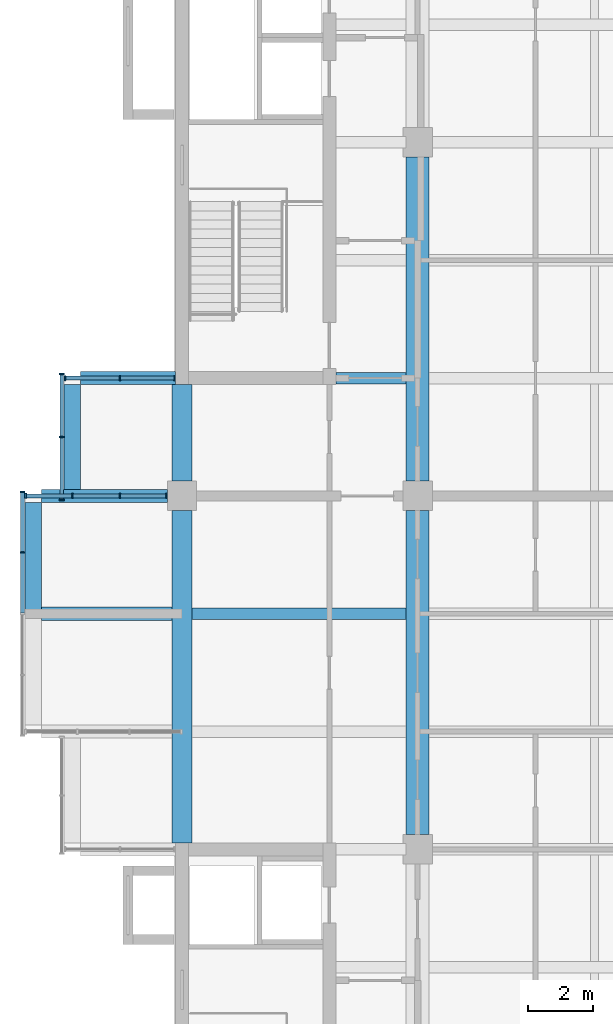
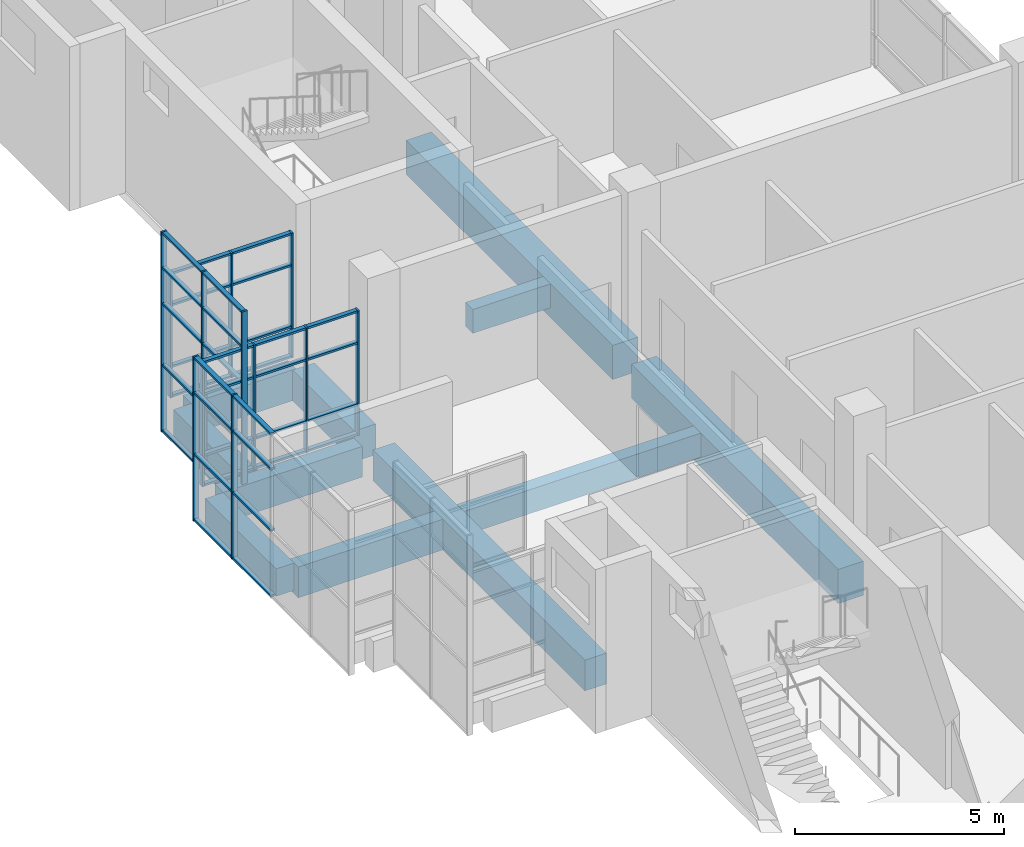
# One storey, part 4 of 23: 50 members, 11 beams, 4 elements without a shape of their own.
"""IFC4 building model written with IfcOpenShell, lengths in metres."""

import ifcopenshell
import ifcopenshell.guid

model = None  # the IFC model being written
_history = None  # IfcOwnerHistory: only IFC2X3 demands one
_inside = {}  # id of a spatial element -> (the spatial element, [elements in it])
_under = {}  # id of a project, library or spatial element -> (it, [spatial elements below it])
_declared = {}  # id of a project -> (the project, [libraries it declares])
_typed = {}  # id of a type object -> (the type object, [elements of that type])
_made_of = {}  # id of a material, layer set ... -> (it, [elements and type objects made of it])


def new_model(schema):
    """Start an empty IFC model of exactly this schema.

    Asked for "IFC4X3", IfcOpenShell would pick the latest addendum, in which some entities
    have other attributes; the version numbers below select the first issue.
    IFC2X3 requires an IfcOwnerHistory on every rooted entity: one is made here for all.
    """
    global model, _history
    if schema == "IFC4X3":
        model = ifcopenshell.file(schema_version=(4, 3, 0, 0))
    else:
        model = ifcopenshell.file(schema=schema)
    _inside.clear()
    _under.clear()
    _declared.clear()
    _typed.clear()
    _made_of.clear()
    _history = None
    if model.schema == "IFC2X3":
        org = make("IfcOrganization", Name="unknown")
        user = make(
            "IfcPersonAndOrganization",
            ThePerson=make("IfcPerson", FamilyName="unknown"),
            TheOrganization=org,
        )
        app = make(
            "IfcApplication",
            ApplicationDeveloper=org,
            Version="unknown",
            ApplicationFullName="unknown",
            ApplicationIdentifier="unknown",
        )
        _history = make(
            "IfcOwnerHistory",
            OwningUser=user,
            OwningApplication=app,
            ChangeAction="ADDED",
            CreationDate=0,
        )
    return model


def make(cls, **values):
    """One entity of the class cls with the attributes given. An attribute that is None is left unset."""
    return model.create_entity(
        cls, **{name: value for name, value in values.items() if value is not None}
    )


def rooted(cls, **values):
    """An entity with a GlobalId (a new one), such as an element, a storey or a relation."""
    return make(cls, GlobalId=ifcopenshell.guid.new(), OwnerHistory=_history, **values)


def si_unit(unit_type, name, prefix=None):
    """IfcSIUnit, for example si_unit("LENGTHUNIT", "METRE", prefix="MILLI")."""
    return make("IfcSIUnit", UnitType=unit_type, Prefix=prefix, Name=name)


def assignment(units):
    """IfcUnitAssignment: the units of a project."""
    return None if units is None else make("IfcUnitAssignment", Units=units)


def point(xyz):
    """IfcCartesianPoint."""
    return None if xyz is None else make("IfcCartesianPoint", Coordinates=xyz)


def direction(xyz):
    """IfcDirection."""
    return None if xyz is None else make("IfcDirection", DirectionRatios=xyz)


def frame(location, z_axis=None, x_axis=None):
    """IfcAxis2Placement3D, a coordinate frame: its origin and axes. An axis left out is left unset."""
    return make(
        "IfcAxis2Placement3D",
        Location=point(location),
        Axis=direction(z_axis),
        RefDirection=direction(x_axis),
    )


def frame_2d(location, x_axis=None):
    """IfcAxis2Placement2D, a coordinate frame in the plane: its origin and x axis."""
    return make(
        "IfcAxis2Placement2D", Location=point(location), RefDirection=direction(x_axis)
    )


def origin():
    """The frame at (0, 0, 0) with its axes left unset."""
    return frame((0.0, 0.0, 0.0))


def origin_2d():
    """The frame at (0, 0) in the plane with its x axis left unset."""
    return frame_2d((0.0, 0.0))


def place(relative_to, where):
    """IfcLocalPlacement: puts the frame where relative to a parent placement (None: the world)."""
    return make(
        "IfcLocalPlacement", PlacementRelTo=relative_to, RelativePlacement=where
    )


def context(
    kind, dimensions, precision=None, world=None, true_north=None, identifier=None
):
    """IfcGeometricRepresentationContext, for example the 3D "Model" context."""
    return make(
        "IfcGeometricRepresentationContext",
        ContextIdentifier=identifier,
        ContextType=kind,
        CoordinateSpaceDimension=dimensions,
        Precision=precision,
        WorldCoordinateSystem=world,
        TrueNorth=true_north,
    )


def subcontext(parent, identifier, kind, view, scale=None):
    """IfcGeometricRepresentationSubContext, for example "Body" below "Model"."""
    return make(
        "IfcGeometricRepresentationSubContext",
        ContextIdentifier=identifier,
        ContextType=kind,
        ParentContext=parent,
        TargetScale=scale,
        TargetView=view,
    )


def project(units=None, contexts=None):
    """IfcProject with its units and contexts."""
    return rooted(
        "IfcProject",
        Name="project",
        RepresentationContexts=contexts,
        UnitsInContext=assignment(units),
    )


def spatial(cls, under=None, at=None, **own):
    """A site, building, storey or space (cls), placed at a placement, below another one or the project."""
    s = rooted(cls, ObjectPlacement=at, **own)
    if under is not None:
        _under.setdefault(under.id(), (under, []))[1].append(s)
    return s


def profile(cls, at=None, kind="AREA", **sizes):
    """A parametric profile (cls). Its sizes go by their IFC names, for example OverallWidth=200.0."""
    return make(cls, ProfileType=kind, Position=at, **sizes)


def rectangle(**sizes):
    """IfcRectangleProfileDef."""
    return profile("IfcRectangleProfileDef", **sizes)


def extrude(swept, where, along, depth):
    """IfcExtrudedAreaSolid: the profile swept, set in the frame where, extruded along a direction by depth."""
    return make(
        "IfcExtrudedAreaSolid",
        SweptArea=swept,
        Position=where,
        ExtrudedDirection=direction(along),
        Depth=depth,
    )


def shape(context_of_items, identifier, shape_type, items):
    """IfcShapeRepresentation: the items that make up one representation, for example the "Body"."""
    return make(
        "IfcShapeRepresentation",
        ContextOfItems=context_of_items,
        RepresentationIdentifier=identifier,
        RepresentationType=shape_type,
        Items=items,
    )


def material(Name=None, Category=None):
    """IfcMaterial."""
    return make("IfcMaterial", Name=Name, Category=Category)


def layer(
    of_material, thickness, ventilated=None, Name=None, Category=None, Priority=None
):
    """IfcMaterialLayer: one layer of a wall or slab, of a material (None: an air gap)."""
    return make(
        "IfcMaterialLayer",
        Material=of_material,
        LayerThickness=thickness,
        IsVentilated=ventilated,
        Name=Name,
        Category=Category,
        Priority=Priority,
    )


def layer_set(layers, Name=None):
    """IfcMaterialLayerSet."""
    return make("IfcMaterialLayerSet", MaterialLayers=layers, LayerSetName=Name)


def material_profile(
    of_material, cross_section, Name=None, Category=None, Priority=None
):
    """IfcMaterialProfile: a cross section and its material."""
    return make(
        "IfcMaterialProfile",
        Name=Name,
        Material=of_material,
        Profile=cross_section,
        Priority=Priority,
        Category=Category,
    )


def profile_set(profiles, Name=None, composite=None):
    """IfcMaterialProfileSet."""
    return make(
        "IfcMaterialProfileSet",
        Name=Name,
        MaterialProfiles=profiles,
        CompositeProfile=composite,
    )


def made_of(thing, what):
    """Note that an element or type object is made of a material, layer set ...; save() writes the relation."""
    if what is not None:
        _made_of.setdefault(what.id(), (what, []))[1].append(thing)
    return thing


def type_object(cls, material=None, **own):
    """A type object (cls), such as IfcWallType, which elements share."""
    return made_of(rooted(cls, **own), material)


def element(
    cls,
    number,
    at=None,
    inside=None,
    cuts=None,
    type_object=None,
    material=None,
    context=None,
    identifier="Body",
    shape_type=None,
    held_by="IfcProductDefinitionShape",
    body=None,
    shapes=None,
    **own,
):
    """One element of the class cls, such as IfcWall. Its Tag is "e" and its number.

    at: its placement. inside: the storey or other place that contains it. cuts: it is an
    opening in that element (IfcRelVoidsElement). A single representation is given by context,
    identifier, shape_type and body (its items); several are given by shapes. held_by: the class
    of the entity that holds the representations. save() writes the other relations.
    """
    e = rooted(cls, Tag="e%d" % number, ObjectPlacement=at, **own)
    if body is not None:
        shapes = [shape(context, identifier, shape_type, body)]
    if shapes is not None:
        e.Representation = make(held_by, Representations=shapes)
    if inside is not None:
        _inside.setdefault(inside.id(), (inside, []))[1].append(e)
    if cuts is not None:
        rooted(
            "IfcRelVoidsElement", RelatingBuildingElement=cuts, RelatedOpeningElement=e
        )
    if type_object is not None:
        _typed.setdefault(type_object.id(), (type_object, []))[1].append(e)
    return made_of(e, material)


def aggregate(whole, parts):
    """IfcRelAggregates: a whole, such as a stair, and the parts it consists of."""
    return rooted("IfcRelAggregates", RelatingObject=whole, RelatedObjects=parts)


def save(model, path):
    """Write the relations noted so far, then the file.

    IfcRelAggregates (storeys below a building ...), IfcRelContainedInSpatialStructure (elements
    in a storey), IfcRelDefinesByType, IfcRelAssociatesMaterial and IfcRelDeclares: one each for
    every whole, place, type object, material and project.
    """
    for whole, parts in _under.values():
        aggregate(whole, parts)
    for where, things in _inside.values():
        rooted(
            "IfcRelContainedInSpatialStructure",
            RelatedElements=things,
            RelatingStructure=where,
        )
    for kind, things in _typed.values():
        rooted("IfcRelDefinesByType", RelatedObjects=things, RelatingType=kind)
    for what, things in _made_of.values():
        rooted("IfcRelAssociatesMaterial", RelatedObjects=things, RelatingMaterial=what)
    for by, libraries in _declared.values():
        rooted("IfcRelDeclares", RelatingContext=by, RelatedDefinitions=libraries)
    model.write(path)


model = new_model("IFC4")

# Units and contexts
model_context = context("Model", 3, precision=1e-05, world=origin(), true_north=direction((0.0, 1.0)))
body_context = subcontext(model_context, "Body", "Model", "MODEL_VIEW")
ifc_project = project(units=[si_unit("LENGTHUNIT", "METRE"), si_unit("AREAUNIT", "SQUARE_METRE"), si_unit("VOLUMEUNIT", "CUBIC_METRE"), si_unit("PLANEANGLEUNIT", "RADIAN"), si_unit("MASSUNIT", "GRAM", prefix="KILO")], contexts=[model_context])

# Site, building, storey
site_placement = place(None, origin())
site = spatial("IfcSite", under=ifc_project, at=site_placement, CompositionType="ELEMENT")
building_placement = place(site_placement, origin())
building = spatial("IfcBuilding", under=site, at=building_placement, Name="Basin Gate Institute", CompositionType="ELEMENT")
storey_placement = place(building_placement, frame((0.0, 0.0, 46.199951171875)))
storey = spatial("IfcBuildingStorey", under=building, at=storey_placement, Name="L09", CompositionType="ELEMENT", Elevation=46.199951171875)

# Beams
ifc_material_1 = material(Name="Concrete 40 MPa", Category="concrete")
ifc_material_profile_1 = material_profile(ifc_material_1, rectangle(XDim=0.35009765625, YDim=0.699951171875, at=origin_2d()), Name="Beam B1 350 x 700")
ifc_profile_set_1 = profile_set([ifc_material_profile_1], Name="Concrete 40 MPa")
beam_type_1 = type_object("IfcBeamType", Name="Beam B1 R120", PredefinedType="BEAM", material=ifc_profile_set_1)
beam_1_placement = place(storey_placement, frame((61.5, 53.10009765625, -0.599853515625), z_axis=(1.0, 0.0, 0.0), x_axis=(0.0, 1.0, 0.0)))
element("IfcBeam", 1, at=beam_1_placement, inside=storey, type_object=beam_type_1, material=ifc_profile_set_1, Name="BEAM/L09/W/OUT/06", PredefinedType="BEAM", context=body_context, shape_type="SweptSolid", body=[
    extrude(rectangle(XDim=0.35009765625, YDim=0.699951171875, at=origin_2d()), origin(), (0.0, 0.0, 1.0), 6.550048828125),
])
beam_2_placement = place(storey_placement, frame((65.89990234375, 60.300048828125, -0.599853515625), z_axis=(1.0, 0.0, 0.0), x_axis=(0.0, 1.0, 0.0)))
element("IfcBeam", 2, at=beam_2_placement, inside=storey, type_object=beam_type_1, material=ifc_profile_set_1, Name="BEAM/L09/W/CORR/08", PredefinedType="BEAM", context=body_context, shape_type="SweptSolid", body=[
    extrude(rectangle(XDim=0.35009765625, YDim=0.699951171875, at=origin_2d()), origin(), (0.0, 0.0, 1.0), 2.150146484375),
])
ifc_material_2 = material(Name="Concrete 50 MPa", Category="concrete")
ifc_material_profile_2 = material_profile(ifc_material_2, rectangle(XDim=0.39990234375, YDim=0.89990234375, at=origin_2d()), Name="Cantilever beam B3 400 x 900")
ifc_profile_set_2 = profile_set([ifc_material_profile_2], Name="Concrete 50 MPa")
beam_type_2 = type_object("IfcBeamType", Name="Cantilever beam B3 R120", PredefinedType="BEAM", material=ifc_profile_set_2)
beam_3_placement = place(storey_placement, frame((56.89990234375, 53.10009765625, -0.699951171875), z_axis=(1.0, 0.0, 0.0), x_axis=(0.0, 1.0, 0.0)))
element("IfcBeam", 3, at=beam_3_placement, inside=storey, type_object=beam_type_2, material=ifc_profile_set_2, Name="BEAM/L09/W/CANT/06", PredefinedType="BEAM", context=body_context, shape_type="SweptSolid", body=[
    extrude(rectangle(XDim=0.39990234375, YDim=0.89990234375, at=origin_2d()), origin(), (0.0, 0.0, 1.0), 4.0),
])
beam_4_placement = place(storey_placement, frame((56.89990234375, 56.699951171875, -0.699951171875), z_axis=(1.0, 0.0, 0.0), x_axis=(0.0, 1.0, 0.0)))
element("IfcBeam", 4, at=beam_4_placement, inside=storey, type_object=beam_type_2, material=ifc_profile_set_2, Name="BEAM/L09/W/CANT/07", PredefinedType="BEAM", context=body_context, shape_type="SweptSolid", body=[
    extrude(rectangle(XDim=0.39990234375, YDim=0.89990234375, at=origin_2d()), origin(), (0.0, 0.0, 1.0), 3.85009765625),
])
beam_5_placement = place(storey_placement, frame((58.10009765625, 60.300048828125, -0.699951171875), z_axis=(1.0, 0.0, 0.0), x_axis=(0.0, 1.0, 0.0)))
element("IfcBeam", 5, at=beam_5_placement, inside=storey, type_object=beam_type_2, material=ifc_profile_set_2, Name="BEAM/L09/W/CANT/08", PredefinedType="BEAM", context=body_context, shape_type="SweptSolid", body=[
    extrude(rectangle(XDim=0.39990234375, YDim=0.89990234375, at=origin_2d()), origin(), (0.0, 0.0, 1.0), 2.89990234375),
])
ifc_material_3 = material(Name="Concrete 50 MPa", Category="concrete")
ifc_material_profile_3 = material_profile(ifc_material_3, rectangle(XDim=0.60009765625, YDim=0.89990234375, at=origin_2d()), Name="Edge beam EB1 600 x 900")
ifc_profile_set_3 = profile_set([ifc_material_profile_3], Name="Concrete 50 MPa")
beam_type_3 = type_object("IfcBeamType", Name="Edge beam EB1 R120", PredefinedType="SPANDREL", material=ifc_profile_set_3)
beam_6_placement = place(storey_placement, frame((61.199951171875, 46.10009765625, -0.699951171875), z_axis=(0.0, 1.0, 0.0), x_axis=(-1.0, 0.0, 0.0)))
element("IfcBeam", 6, at=beam_6_placement, inside=storey, type_object=beam_type_3, material=ifc_profile_set_3, Name="BEAM/L09/W/EDGE/1", PredefinedType="SPANDREL", context=body_context, shape_type="SweptSolid", body=[
    extrude(rectangle(XDim=0.60009765625, YDim=0.89990234375, at=origin_2d()), origin(), (0.0, 0.0, 1.0), 10.14990234375),
])
ifc_material_4 = material(Name="Concrete 50 MPa", Category="concrete")
ifc_material_profile_4 = material_profile(ifc_material_4, rectangle(XDim=0.60009765625, YDim=0.89990234375, at=origin_2d()), Name="Edge return beam EB3 600 x 900")
ifc_profile_set_4 = profile_set([ifc_material_profile_4], Name="Concrete 50 MPa")
beam_type_4 = type_object("IfcBeamType", Name="Edge return beam EB3 R120", PredefinedType="SPANDREL", material=ifc_profile_set_4)
beam_7_placement = place(storey_placement, frame((61.199951171875, 57.14990234375, -0.699951171875), z_axis=(0.0, 1.0, 0.0), x_axis=(-1.0, 0.0, 0.0)))
element("IfcBeam", 7, at=beam_7_placement, inside=storey, type_object=beam_type_4, material=ifc_profile_set_4, Name="BEAM/L09/W/EDGE/2", PredefinedType="SPANDREL", context=body_context, shape_type="SweptSolid", body=[
    extrude(rectangle(XDim=0.60009765625, YDim=0.89990234375, at=origin_2d()), origin(), (0.0, 0.0, 1.0), 2.9501953125),
])
ifc_material_5 = material(Name="Concrete 50 MPa", Category="concrete")
ifc_material_profile_5 = material_profile(ifc_material_5, rectangle(XDim=0.699951171875, YDim=1.0, at=origin_2d()), Name="Girder G1 700 x 1000")
ifc_profile_set_5 = profile_set([ifc_material_profile_5], Name="Concrete 50 MPa")
beam_type_5 = type_object("IfcBeamType", Name="Girder G1 R120", PredefinedType="BEAM", material=ifc_profile_set_5)
beam_8_placement = place(storey_placement, frame((68.39990234375, 46.35009765625, -0.75), z_axis=(0.0, 1.0, 0.0), x_axis=(-1.0, 0.0, 0.0)))
element("IfcBeam", 8, at=beam_8_placement, inside=storey, type_object=beam_type_5, material=ifc_profile_set_5, Name="GIR/L09/W5/2", PredefinedType="BEAM", context=body_context, shape_type="SweptSolid", body=[
    extrude(rectangle(XDim=0.699951171875, YDim=1.0, at=origin_2d()), origin(), (0.0, 0.0, 1.0), 9.89990234375),
])
beam_9_placement = place(storey_placement, frame((68.39990234375, 57.14990234375, -0.75), z_axis=(0.0, 1.0, 0.0), x_axis=(-1.0, 0.0, 0.0)))
element("IfcBeam", 9, at=beam_9_placement, inside=storey, type_object=beam_type_5, material=ifc_profile_set_5, Name="GIR/L09/W5/3", PredefinedType="BEAM", context=body_context, shape_type="SweptSolid", body=[
    extrude(rectangle(XDim=0.699951171875, YDim=1.0, at=origin_2d()), origin(), (0.0, 0.0, 1.0), 9.900146484375),
])

# Curtain wall, members
ifc_material_6 = material(Name="Aluminium-framed glazing", Category="aluminium")
ifc_layer = layer(ifc_material_6, 0.14990234375)
ifc_layer_set = layer_set([ifc_layer], Name="Capsule front curtain wall CW1")
curtain_wall_type = type_object("IfcCurtainWallType", Name="Capsule front curtain wall CW1", PredefinedType="NOTDEFINED", material=ifc_layer_set)
curtain_wall_1_placement = place(storey_placement, origin())
curtain_wall_1 = element("IfcCurtainWall", 10, at=curtain_wall_1_placement, inside=storey, type_object=curtain_wall_type, material=ifc_layer_set, Name="Capsule front curtain wall W wing capsule end L09 line 7", PredefinedType="NOTDEFINED")
ifc_material_7 = material(Name="Aluminium", Category="aluminium")
ifc_material_profile_6 = material_profile(ifc_material_7, rectangle(XDim=0.14990234375, YDim=0.050048828125, at=origin_2d()), Name="Mullion MU1 150 x 50")
ifc_profile_set_6 = profile_set([ifc_material_profile_6], Name="Aluminium")
member_type_1 = type_object("IfcMemberType", Name="Mullion MU1", PredefinedType="MULLION", material=ifc_profile_set_6)
member_1_placement = place(storey_placement, frame((56.425048828125, 56.699951171875, 0.0), z_axis=(0.0, 0.0, 1.0), x_axis=(0.0, 1.0, 0.0)))
member_1 = element("IfcMember", 11, at=member_1_placement, type_object=member_type_1, material=ifc_profile_set_6, Name="CW1 mullion 1", PredefinedType="MULLION", context=body_context, shape_type="SweptSolid", body=[
    extrude(rectangle(XDim=0.14990234375, YDim=0.050048828125, at=origin_2d()), origin(), (0.0, 0.0, 1.0), 3.650146484375),
])
member_2_placement = place(storey_placement, frame((57.85009765625, 56.699951171875, 0.0), z_axis=(0.0, 0.0, 1.0), x_axis=(0.0, 1.0, 0.0)))
member_2 = element("IfcMember", 12, at=member_2_placement, type_object=member_type_1, material=ifc_profile_set_6, Name="CW1 mullion 2", PredefinedType="MULLION", context=body_context, shape_type="SweptSolid", body=[
    extrude(rectangle(XDim=0.14990234375, YDim=0.050048828125, at=origin_2d()), origin(), (0.0, 0.0, 1.0), 3.650146484375),
])
member_3_placement = place(storey_placement, frame((59.300048828125, 56.699951171875, 0.0), z_axis=(0.0, 0.0, 1.0), x_axis=(0.0, 1.0, 0.0)))
member_3 = element("IfcMember", 13, at=member_3_placement, type_object=member_type_1, material=ifc_profile_set_6, Name="CW1 mullion 3", PredefinedType="MULLION", context=body_context, shape_type="SweptSolid", body=[
    extrude(rectangle(XDim=0.14990234375, YDim=0.050048828125, at=origin_2d()), origin(), (0.0, 0.0, 1.0), 3.650146484375),
])
member_4_placement = place(storey_placement, frame((60.72509765625, 56.699951171875, 0.0), z_axis=(0.0, 0.0, 1.0), x_axis=(0.0, 1.0, 0.0)))
member_4 = element("IfcMember", 14, at=member_4_placement, type_object=member_type_1, material=ifc_profile_set_6, Name="CW1 mullion 4", PredefinedType="MULLION", context=body_context, shape_type="SweptSolid", body=[
    extrude(rectangle(XDim=0.14990234375, YDim=0.050048828125, at=origin_2d()), origin(), (0.0, 0.0, 1.0), 3.650146484375),
])

curtain_wall_2_placement = place(storey_placement, origin())
curtain_wall_2 = element("IfcCurtainWall", 15, at=curtain_wall_2_placement, inside=storey, type_object=curtain_wall_type, material=ifc_layer_set, Name="Capsule front curtain wall W wing capsule end L09 line 8", PredefinedType="NOTDEFINED")
member_5_placement = place(storey_placement, frame((57.625, 60.300048828125, 0.0), z_axis=(0.0, 0.0, 1.0), x_axis=(0.0, 1.0, 0.0)))
member_5 = element("IfcMember", 16, at=member_5_placement, type_object=member_type_1, material=ifc_profile_set_6, Name="CW1 mullion 1", PredefinedType="MULLION", context=body_context, shape_type="SweptSolid", body=[
    extrude(rectangle(XDim=0.14990234375, YDim=0.050048828125, at=origin_2d()), origin(), (0.0, 0.0, 1.0), 3.650146484375),
])
member_6_placement = place(storey_placement, frame((59.300048828125, 60.300048828125, 0.0), z_axis=(0.0, 0.0, 1.0), x_axis=(0.0, 1.0, 0.0)))
member_6 = element("IfcMember", 17, at=member_6_placement, type_object=member_type_1, material=ifc_profile_set_6, Name="CW1 mullion 2", PredefinedType="MULLION", context=body_context, shape_type="SweptSolid", body=[
    extrude(rectangle(XDim=0.14990234375, YDim=0.050048828125, at=origin_2d()), origin(), (0.0, 0.0, 1.0), 3.650146484375),
])
member_7_placement = place(storey_placement, frame((60.97509765625, 60.300048828125, 0.0), z_axis=(0.0, 0.0, 1.0), x_axis=(0.0, 1.0, 0.0)))
member_7 = element("IfcMember", 18, at=member_7_placement, type_object=member_type_1, material=ifc_profile_set_6, Name="CW1 mullion 3", PredefinedType="MULLION", context=body_context, shape_type="SweptSolid", body=[
    extrude(rectangle(XDim=0.14990234375, YDim=0.050048828125, at=origin_2d()), origin(), (0.0, 0.0, 1.0), 3.650146484375),
])

curtain_wall_3_placement = place(storey_placement, origin())
curtain_wall_3 = element("IfcCurtainWall", 19, at=curtain_wall_3_placement, inside=storey, type_object=curtain_wall_type, material=ifc_layer_set, Name="Capsule front curtain wall W wing capsule 1 L09 front 2", PredefinedType="NOTDEFINED")
member_8_placement = place(storey_placement, frame((56.324951171875, 54.97509765625, -1.050048828125), z_axis=(0.0, 0.0, 1.0), x_axis=(-1.0, 0.0, 0.0)))
member_8 = element("IfcMember", 20, at=member_8_placement, type_object=member_type_1, material=ifc_profile_set_6, Name="CW1 mullion 4", PredefinedType="MULLION", context=body_context, shape_type="SweptSolid", body=[
    extrude(rectangle(XDim=0.14990234375, YDim=0.050048828125, at=origin_2d()), origin(), (0.0, 0.0, 1.0), 4.800048828125),
])
member_9_placement = place(storey_placement, frame((56.324951171875, 56.824951171875, -1.050048828125), z_axis=(0.0, 0.0, 1.0), x_axis=(-1.0, 0.0, 0.0)))
member_9 = element("IfcMember", 21, at=member_9_placement, type_object=member_type_1, material=ifc_profile_set_6, Name="CW1 mullion 5", PredefinedType="MULLION", context=body_context, shape_type="SweptSolid", body=[
    extrude(rectangle(XDim=0.14990234375, YDim=0.050048828125, at=origin_2d()), origin(), (0.0, 0.0, 1.0), 4.800048828125),
])

curtain_wall_4_placement = place(storey_placement, origin())
curtain_wall_4 = element("IfcCurtainWall", 22, at=curtain_wall_4_placement, inside=storey, type_object=curtain_wall_type, material=ifc_layer_set, Name="Capsule front curtain wall W wing capsule 1 L09 front 4", PredefinedType="NOTDEFINED")
member_10_placement = place(storey_placement, frame((57.52490234375, 56.574951171875, -1.050048828125), z_axis=(0.0, 0.0, 1.0), x_axis=(-1.0, 0.0, 0.0)))
member_10 = element("IfcMember", 23, at=member_10_placement, type_object=member_type_1, material=ifc_profile_set_6, Name="CW1 mullion 1", PredefinedType="MULLION", context=body_context, shape_type="SweptSolid", body=[
    extrude(rectangle(XDim=0.14990234375, YDim=0.050048828125, at=origin_2d()), origin(), (0.0, 0.0, 1.0), 5.85009765625),
])
member_11_placement = place(storey_placement, frame((57.52490234375, 58.5, -1.050048828125), z_axis=(0.0, 0.0, 1.0), x_axis=(-1.0, 0.0, 0.0)))
member_11 = element("IfcMember", 24, at=member_11_placement, type_object=member_type_1, material=ifc_profile_set_6, Name="CW1 mullion 2", PredefinedType="MULLION", context=body_context, shape_type="SweptSolid", body=[
    extrude(rectangle(XDim=0.14990234375, YDim=0.050048828125, at=origin_2d()), origin(), (0.0, 0.0, 1.0), 5.85009765625),
])
member_12_placement = place(storey_placement, frame((57.52490234375, 60.425048828125, -1.050048828125), z_axis=(0.0, 0.0, 1.0), x_axis=(-1.0, 0.0, 0.0)))
member_12 = element("IfcMember", 25, at=member_12_placement, type_object=member_type_1, material=ifc_profile_set_6, Name="CW1 mullion 3", PredefinedType="MULLION", context=body_context, shape_type="SweptSolid", body=[
    extrude(rectangle(XDim=0.14990234375, YDim=0.050048828125, at=origin_2d()), origin(), (0.0, 0.0, 1.0), 5.85009765625),
])

# Beams
ifc_material_8 = material(Name="Concrete 50 MPa", Category="concrete")
ifc_material_profile_7 = material_profile(ifc_material_8, rectangle(XDim=0.5, YDim=0.800048828125, at=origin_2d()), Name="Tip beam TB1 500 x 800")
ifc_profile_set_7 = profile_set([ifc_material_profile_7], Name="Concrete 50 MPa")
beam_type_6 = type_object("IfcBeamType", Name="Tip beam TB1 R120", PredefinedType="SPANDREL", material=ifc_profile_set_7)
beam_10_placement = place(storey_placement, frame((56.64990234375, 53.10009765625, -0.64990234375), z_axis=(0.0, 1.0, 0.0), x_axis=(-1.0, 0.0, 0.0)))
element("IfcBeam", 26, at=beam_10_placement, inside=storey, type_object=beam_type_6, material=ifc_profile_set_7, Name="BEAM/L09/W/TIP/3", PredefinedType="SPANDREL", context=body_context, shape_type="SweptSolid", body=[
    extrude(rectangle(XDim=0.5, YDim=0.800048828125, at=origin_2d()), origin(), (0.0, 0.0, 1.0), 3.39990234375),
])
beam_11_placement = place(storey_placement, frame((57.85009765625, 56.89990234375, -0.64990234375), z_axis=(0.0, 1.0, 0.0), x_axis=(-1.0, 0.0, 0.0)))
element("IfcBeam", 27, at=beam_11_placement, inside=storey, type_object=beam_type_6, material=ifc_profile_set_7, Name="BEAM/L09/W/TIP/4", PredefinedType="SPANDREL", context=body_context, shape_type="SweptSolid", body=[
    extrude(rectangle(XDim=0.5, YDim=0.800048828125, at=origin_2d()), origin(), (0.0, 0.0, 1.0), 3.2001953125),
])

# Member
ifc_material_9 = material(Name="Aluminium", Category="aluminium")
ifc_material_profile_8 = material_profile(ifc_material_9, rectangle(XDim=0.1201171875, YDim=0.06005859375, at=origin_2d()), Name="Transom TR1 120 x 60")
ifc_profile_set_8 = profile_set([ifc_material_profile_8], Name="Aluminium")
member_type_2 = type_object("IfcMemberType", Name="Transom TR1", PredefinedType="USERDEFINED", material=ifc_profile_set_8)
member_13_placement = place(storey_placement, frame((56.449951171875, 56.699951171875, 0.030029296875), z_axis=(1.0, 0.0, 0.0), x_axis=(0.0, 1.0, 0.0)))
member_13 = element("IfcMember", 28, at=member_13_placement, type_object=member_type_2, material=ifc_profile_set_8, Name="CW1 transom 1.1", ObjectType="TRANSOM", PredefinedType="USERDEFINED", context=body_context, shape_type="SweptSolid", body=[
    extrude(rectangle(XDim=0.1201171875, YDim=0.06005859375, at=origin_2d()), origin(), (0.0, 0.0, 1.0), 1.375),
])

member_14_placement = place(storey_placement, frame((56.449951171875, 56.699951171875, 0.900146484375), z_axis=(1.0, 0.0, 0.0), x_axis=(0.0, 1.0, 0.0)))
member_14 = element("IfcMember", 29, at=member_14_placement, type_object=member_type_2, material=ifc_profile_set_8, Name="CW1 transom 1.2", ObjectType="TRANSOM", PredefinedType="USERDEFINED", context=body_context, shape_type="SweptSolid", body=[
    extrude(rectangle(XDim=0.1201171875, YDim=0.06005859375, at=origin_2d()), origin(), (0.0, 0.0, 1.0), 1.375),
])

member_15_placement = place(storey_placement, frame((56.449951171875, 56.699951171875, 2.699951171875), z_axis=(1.0, 0.0, 0.0), x_axis=(0.0, 1.0, 0.0)))
member_15 = element("IfcMember", 30, at=member_15_placement, type_object=member_type_2, material=ifc_profile_set_8, Name="CW1 transom 1.3", ObjectType="TRANSOM", PredefinedType="USERDEFINED", context=body_context, shape_type="SweptSolid", body=[
    extrude(rectangle(XDim=0.1201171875, YDim=0.06005859375, at=origin_2d()), origin(), (0.0, 0.0, 1.0), 1.375),
])

member_16_placement = place(storey_placement, frame((56.449951171875, 56.699951171875, 3.6201171875), z_axis=(1.0, 0.0, 0.0), x_axis=(0.0, 1.0, 0.0)))
member_16 = element("IfcMember", 31, at=member_16_placement, type_object=member_type_2, material=ifc_profile_set_8, Name="CW1 transom 1.4", ObjectType="TRANSOM", PredefinedType="USERDEFINED", context=body_context, shape_type="SweptSolid", body=[
    extrude(rectangle(XDim=0.1201171875, YDim=0.06005859375, at=origin_2d()), origin(), (0.0, 0.0, 1.0), 1.375),
])

member_17_placement = place(storey_placement, frame((57.875, 56.699951171875, 0.030029296875), z_axis=(1.0, 0.0, 0.0), x_axis=(0.0, 1.0, 0.0)))
member_17 = element("IfcMember", 32, at=member_17_placement, type_object=member_type_2, material=ifc_profile_set_8, Name="CW1 transom 2.1", ObjectType="TRANSOM", PredefinedType="USERDEFINED", context=body_context, shape_type="SweptSolid", body=[
    extrude(rectangle(XDim=0.1201171875, YDim=0.06005859375, at=origin_2d()), origin(), (0.0, 0.0, 1.0), 1.39990234375),
])

member_18_placement = place(storey_placement, frame((57.875, 56.699951171875, 0.900146484375), z_axis=(1.0, 0.0, 0.0), x_axis=(0.0, 1.0, 0.0)))
member_18 = element("IfcMember", 33, at=member_18_placement, type_object=member_type_2, material=ifc_profile_set_8, Name="CW1 transom 2.2", ObjectType="TRANSOM", PredefinedType="USERDEFINED", context=body_context, shape_type="SweptSolid", body=[
    extrude(rectangle(XDim=0.1201171875, YDim=0.06005859375, at=origin_2d()), origin(), (0.0, 0.0, 1.0), 1.39990234375),
])

member_19_placement = place(storey_placement, frame((57.875, 56.699951171875, 2.699951171875), z_axis=(1.0, 0.0, 0.0), x_axis=(0.0, 1.0, 0.0)))
member_19 = element("IfcMember", 34, at=member_19_placement, type_object=member_type_2, material=ifc_profile_set_8, Name="CW1 transom 2.3", ObjectType="TRANSOM", PredefinedType="USERDEFINED", context=body_context, shape_type="SweptSolid", body=[
    extrude(rectangle(XDim=0.1201171875, YDim=0.06005859375, at=origin_2d()), origin(), (0.0, 0.0, 1.0), 1.39990234375),
])

member_20_placement = place(storey_placement, frame((57.875, 56.699951171875, 3.6201171875), z_axis=(1.0, 0.0, 0.0), x_axis=(0.0, 1.0, 0.0)))
member_20 = element("IfcMember", 35, at=member_20_placement, type_object=member_type_2, material=ifc_profile_set_8, Name="CW1 transom 2.4", ObjectType="TRANSOM", PredefinedType="USERDEFINED", context=body_context, shape_type="SweptSolid", body=[
    extrude(rectangle(XDim=0.1201171875, YDim=0.06005859375, at=origin_2d()), origin(), (0.0, 0.0, 1.0), 1.39990234375),
])

member_21_placement = place(storey_placement, frame((59.324951171875, 56.699951171875, 0.030029296875), z_axis=(1.0, 0.0, 0.0), x_axis=(0.0, 1.0, 0.0)))
member_21 = element("IfcMember", 36, at=member_21_placement, type_object=member_type_2, material=ifc_profile_set_8, Name="CW1 transom 3.1", ObjectType="TRANSOM", PredefinedType="USERDEFINED", context=body_context, shape_type="SweptSolid", body=[
    extrude(rectangle(XDim=0.1201171875, YDim=0.06005859375, at=origin_2d()), origin(), (0.0, 0.0, 1.0), 1.375),
])

member_22_placement = place(storey_placement, frame((59.324951171875, 56.699951171875, 0.900146484375), z_axis=(1.0, 0.0, 0.0), x_axis=(0.0, 1.0, 0.0)))
member_22 = element("IfcMember", 37, at=member_22_placement, type_object=member_type_2, material=ifc_profile_set_8, Name="CW1 transom 3.2", ObjectType="TRANSOM", PredefinedType="USERDEFINED", context=body_context, shape_type="SweptSolid", body=[
    extrude(rectangle(XDim=0.1201171875, YDim=0.06005859375, at=origin_2d()), origin(), (0.0, 0.0, 1.0), 1.375),
])

member_23_placement = place(storey_placement, frame((59.324951171875, 56.699951171875, 2.699951171875), z_axis=(1.0, 0.0, 0.0), x_axis=(0.0, 1.0, 0.0)))
member_23 = element("IfcMember", 38, at=member_23_placement, type_object=member_type_2, material=ifc_profile_set_8, Name="CW1 transom 3.3", ObjectType="TRANSOM", PredefinedType="USERDEFINED", context=body_context, shape_type="SweptSolid", body=[
    extrude(rectangle(XDim=0.1201171875, YDim=0.06005859375, at=origin_2d()), origin(), (0.0, 0.0, 1.0), 1.375),
])

member_24_placement = place(storey_placement, frame((59.324951171875, 56.699951171875, 3.6201171875), z_axis=(1.0, 0.0, 0.0), x_axis=(0.0, 1.0, 0.0)))
member_24 = element("IfcMember", 39, at=member_24_placement, type_object=member_type_2, material=ifc_profile_set_8, Name="CW1 transom 3.4", ObjectType="TRANSOM", PredefinedType="USERDEFINED", context=body_context, shape_type="SweptSolid", body=[
    extrude(rectangle(XDim=0.1201171875, YDim=0.06005859375, at=origin_2d()), origin(), (0.0, 0.0, 1.0), 1.375),
])

aggregate(curtain_wall_1, [member_1, member_2, member_3, member_4, member_13, member_14, member_15, member_16, member_17, member_18, member_19, member_20, member_21, member_22, member_23, member_24])

member_25_placement = place(storey_placement, frame((57.64990234375, 60.300048828125, 0.030029296875), z_axis=(1.0, 0.0, 0.0), x_axis=(0.0, 1.0, 0.0)))
member_25 = element("IfcMember", 40, at=member_25_placement, type_object=member_type_2, material=ifc_profile_set_8, Name="CW1 transom 1.1", ObjectType="TRANSOM", PredefinedType="USERDEFINED", context=body_context, shape_type="SweptSolid", body=[
    extrude(rectangle(XDim=0.1201171875, YDim=0.06005859375, at=origin_2d()), origin(), (0.0, 0.0, 1.0), 1.625),
])

member_26_placement = place(storey_placement, frame((57.64990234375, 60.300048828125, 0.900146484375), z_axis=(1.0, 0.0, 0.0), x_axis=(0.0, 1.0, 0.0)))
member_26 = element("IfcMember", 41, at=member_26_placement, type_object=member_type_2, material=ifc_profile_set_8, Name="CW1 transom 1.2", ObjectType="TRANSOM", PredefinedType="USERDEFINED", context=body_context, shape_type="SweptSolid", body=[
    extrude(rectangle(XDim=0.1201171875, YDim=0.06005859375, at=origin_2d()), origin(), (0.0, 0.0, 1.0), 1.625),
])

member_27_placement = place(storey_placement, frame((57.64990234375, 60.300048828125, 2.699951171875), z_axis=(1.0, 0.0, 0.0), x_axis=(0.0, 1.0, 0.0)))
member_27 = element("IfcMember", 42, at=member_27_placement, type_object=member_type_2, material=ifc_profile_set_8, Name="CW1 transom 1.3", ObjectType="TRANSOM", PredefinedType="USERDEFINED", context=body_context, shape_type="SweptSolid", body=[
    extrude(rectangle(XDim=0.1201171875, YDim=0.06005859375, at=origin_2d()), origin(), (0.0, 0.0, 1.0), 1.625),
])

member_28_placement = place(storey_placement, frame((57.64990234375, 60.300048828125, 3.6201171875), z_axis=(1.0, 0.0, 0.0), x_axis=(0.0, 1.0, 0.0)))
member_28 = element("IfcMember", 43, at=member_28_placement, type_object=member_type_2, material=ifc_profile_set_8, Name="CW1 transom 1.4", ObjectType="TRANSOM", PredefinedType="USERDEFINED", context=body_context, shape_type="SweptSolid", body=[
    extrude(rectangle(XDim=0.1201171875, YDim=0.06005859375, at=origin_2d()), origin(), (0.0, 0.0, 1.0), 1.625),
])

member_29_placement = place(storey_placement, frame((59.324951171875, 60.300048828125, 0.030029296875), z_axis=(1.0, 0.0, 0.0), x_axis=(0.0, 1.0, 0.0)))
member_29 = element("IfcMember", 44, at=member_29_placement, type_object=member_type_2, material=ifc_profile_set_8, Name="CW1 transom 2.1", ObjectType="TRANSOM", PredefinedType="USERDEFINED", context=body_context, shape_type="SweptSolid", body=[
    extrude(rectangle(XDim=0.1201171875, YDim=0.06005859375, at=origin_2d()), origin(), (0.0, 0.0, 1.0), 1.625),
])

member_30_placement = place(storey_placement, frame((59.324951171875, 60.300048828125, 0.900146484375), z_axis=(1.0, 0.0, 0.0), x_axis=(0.0, 1.0, 0.0)))
member_30 = element("IfcMember", 45, at=member_30_placement, type_object=member_type_2, material=ifc_profile_set_8, Name="CW1 transom 2.2", ObjectType="TRANSOM", PredefinedType="USERDEFINED", context=body_context, shape_type="SweptSolid", body=[
    extrude(rectangle(XDim=0.1201171875, YDim=0.06005859375, at=origin_2d()), origin(), (0.0, 0.0, 1.0), 1.625),
])

member_31_placement = place(storey_placement, frame((59.324951171875, 60.300048828125, 2.699951171875), z_axis=(1.0, 0.0, 0.0), x_axis=(0.0, 1.0, 0.0)))
member_31 = element("IfcMember", 46, at=member_31_placement, type_object=member_type_2, material=ifc_profile_set_8, Name="CW1 transom 2.3", ObjectType="TRANSOM", PredefinedType="USERDEFINED", context=body_context, shape_type="SweptSolid", body=[
    extrude(rectangle(XDim=0.1201171875, YDim=0.06005859375, at=origin_2d()), origin(), (0.0, 0.0, 1.0), 1.625),
])

member_32_placement = place(storey_placement, frame((59.324951171875, 60.300048828125, 3.6201171875), z_axis=(1.0, 0.0, 0.0), x_axis=(0.0, 1.0, 0.0)))
member_32 = element("IfcMember", 47, at=member_32_placement, type_object=member_type_2, material=ifc_profile_set_8, Name="CW1 transom 2.4", ObjectType="TRANSOM", PredefinedType="USERDEFINED", context=body_context, shape_type="SweptSolid", body=[
    extrude(rectangle(XDim=0.1201171875, YDim=0.06005859375, at=origin_2d()), origin(), (0.0, 0.0, 1.0), 1.625),
])

aggregate(curtain_wall_2, [member_5, member_6, member_7, member_25, member_26, member_27, member_28, member_29, member_30, member_31, member_32])

member_33_placement = place(storey_placement, frame((56.324951171875, 53.125, -1.02001953125), z_axis=(0.0, 1.0, 0.0), x_axis=(-1.0, 0.0, 0.0)))
member_33 = element("IfcMember", 48, at=member_33_placement, type_object=member_type_2, material=ifc_profile_set_8, Name="CW1 transom 3.1", ObjectType="TRANSOM", PredefinedType="USERDEFINED", context=body_context, shape_type="SweptSolid", body=[
    extrude(rectangle(XDim=0.1201171875, YDim=0.06005859375, at=origin_2d()), origin(), (0.0, 0.0, 1.0), 1.824951171875),
])

member_34_placement = place(storey_placement, frame((56.324951171875, 53.125, 0.900146484375), z_axis=(0.0, 1.0, 0.0), x_axis=(-1.0, 0.0, 0.0)))
member_34 = element("IfcMember", 49, at=member_34_placement, type_object=member_type_2, material=ifc_profile_set_8, Name="CW1 transom 3.2", ObjectType="TRANSOM", PredefinedType="USERDEFINED", context=body_context, shape_type="SweptSolid", body=[
    extrude(rectangle(XDim=0.1201171875, YDim=0.06005859375, at=origin_2d()), origin(), (0.0, 0.0, 1.0), 1.824951171875),
])

member_35_placement = place(storey_placement, frame((56.324951171875, 53.125, 2.699951171875), z_axis=(0.0, 1.0, 0.0), x_axis=(-1.0, 0.0, 0.0)))
member_35 = element("IfcMember", 50, at=member_35_placement, type_object=member_type_2, material=ifc_profile_set_8, Name="CW1 transom 3.3", ObjectType="TRANSOM", PredefinedType="USERDEFINED", context=body_context, shape_type="SweptSolid", body=[
    extrude(rectangle(XDim=0.1201171875, YDim=0.06005859375, at=origin_2d()), origin(), (0.0, 0.0, 1.0), 1.824951171875),
])

member_36_placement = place(storey_placement, frame((56.324951171875, 53.125, 3.719970703125), z_axis=(0.0, 1.0, 0.0), x_axis=(-1.0, 0.0, 0.0)))
member_36 = element("IfcMember", 51, at=member_36_placement, type_object=member_type_2, material=ifc_profile_set_8, Name="CW1 transom 3.4", ObjectType="TRANSOM", PredefinedType="USERDEFINED", context=body_context, shape_type="SweptSolid", body=[
    extrude(rectangle(XDim=0.1201171875, YDim=0.06005859375, at=origin_2d()), origin(), (0.0, 0.0, 1.0), 1.824951171875),
])

member_37_placement = place(storey_placement, frame((56.324951171875, 55.0, -1.02001953125), z_axis=(0.0, 1.0, 0.0), x_axis=(-1.0, 0.0, 0.0)))
member_37 = element("IfcMember", 52, at=member_37_placement, type_object=member_type_2, material=ifc_profile_set_8, Name="CW1 transom 4.1", ObjectType="TRANSOM", PredefinedType="USERDEFINED", context=body_context, shape_type="SweptSolid", body=[
    extrude(rectangle(XDim=0.1201171875, YDim=0.06005859375, at=origin_2d()), origin(), (0.0, 0.0, 1.0), 1.800048828125),
])

member_38_placement = place(storey_placement, frame((56.324951171875, 55.0, 0.900146484375), z_axis=(0.0, 1.0, 0.0), x_axis=(-1.0, 0.0, 0.0)))
member_38 = element("IfcMember", 53, at=member_38_placement, type_object=member_type_2, material=ifc_profile_set_8, Name="CW1 transom 4.2", ObjectType="TRANSOM", PredefinedType="USERDEFINED", context=body_context, shape_type="SweptSolid", body=[
    extrude(rectangle(XDim=0.1201171875, YDim=0.06005859375, at=origin_2d()), origin(), (0.0, 0.0, 1.0), 1.800048828125),
])

member_39_placement = place(storey_placement, frame((56.324951171875, 55.0, 2.699951171875), z_axis=(0.0, 1.0, 0.0), x_axis=(-1.0, 0.0, 0.0)))
member_39 = element("IfcMember", 54, at=member_39_placement, type_object=member_type_2, material=ifc_profile_set_8, Name="CW1 transom 4.3", ObjectType="TRANSOM", PredefinedType="USERDEFINED", context=body_context, shape_type="SweptSolid", body=[
    extrude(rectangle(XDim=0.1201171875, YDim=0.06005859375, at=origin_2d()), origin(), (0.0, 0.0, 1.0), 1.800048828125),
])

member_40_placement = place(storey_placement, frame((56.324951171875, 55.0, 3.719970703125), z_axis=(0.0, 1.0, 0.0), x_axis=(-1.0, 0.0, 0.0)))
member_40 = element("IfcMember", 55, at=member_40_placement, type_object=member_type_2, material=ifc_profile_set_8, Name="CW1 transom 4.4", ObjectType="TRANSOM", PredefinedType="USERDEFINED", context=body_context, shape_type="SweptSolid", body=[
    extrude(rectangle(XDim=0.1201171875, YDim=0.06005859375, at=origin_2d()), origin(), (0.0, 0.0, 1.0), 1.800048828125),
])

aggregate(curtain_wall_3, [member_8, member_9, member_33, member_34, member_35, member_36, member_37, member_38, member_39, member_40])

member_41_placement = place(storey_placement, frame((57.52490234375, 56.60009765625, -1.02001953125), z_axis=(0.0, 1.0, 0.0), x_axis=(-1.0, 0.0, 0.0)))
member_41 = element("IfcMember", 56, at=member_41_placement, type_object=member_type_2, material=ifc_profile_set_8, Name="CW1 transom 1.1", ObjectType="TRANSOM", PredefinedType="USERDEFINED", context=body_context, shape_type="SweptSolid", body=[
    extrude(rectangle(XDim=0.1201171875, YDim=0.06005859375, at=origin_2d()), origin(), (0.0, 0.0, 1.0), 1.875),
])

member_42_placement = place(storey_placement, frame((57.52490234375, 56.60009765625, 0.900146484375), z_axis=(0.0, 1.0, 0.0), x_axis=(-1.0, 0.0, 0.0)))
member_42 = element("IfcMember", 57, at=member_42_placement, type_object=member_type_2, material=ifc_profile_set_8, Name="CW1 transom 1.2", ObjectType="TRANSOM", PredefinedType="USERDEFINED", context=body_context, shape_type="SweptSolid", body=[
    extrude(rectangle(XDim=0.1201171875, YDim=0.06005859375, at=origin_2d()), origin(), (0.0, 0.0, 1.0), 1.875),
])

member_43_placement = place(storey_placement, frame((57.52490234375, 56.60009765625, 2.699951171875), z_axis=(0.0, 1.0, 0.0), x_axis=(-1.0, 0.0, 0.0)))
member_43 = element("IfcMember", 58, at=member_43_placement, type_object=member_type_2, material=ifc_profile_set_8, Name="CW1 transom 1.3", ObjectType="TRANSOM", PredefinedType="USERDEFINED", context=body_context, shape_type="SweptSolid", body=[
    extrude(rectangle(XDim=0.1201171875, YDim=0.06005859375, at=origin_2d()), origin(), (0.0, 0.0, 1.0), 1.875),
])

member_44_placement = place(storey_placement, frame((57.52490234375, 56.60009765625, 3.75), z_axis=(0.0, 1.0, 0.0), x_axis=(-1.0, 0.0, 0.0)))
member_44 = element("IfcMember", 59, at=member_44_placement, type_object=member_type_2, material=ifc_profile_set_8, Name="CW1 transom 1.4", ObjectType="TRANSOM", PredefinedType="USERDEFINED", context=body_context, shape_type="SweptSolid", body=[
    extrude(rectangle(XDim=0.1201171875, YDim=0.06005859375, at=origin_2d()), origin(), (0.0, 0.0, 1.0), 1.875),
])

member_45_placement = place(storey_placement, frame((57.52490234375, 56.60009765625, 4.77001953125), z_axis=(0.0, 1.0, 0.0), x_axis=(-1.0, 0.0, 0.0)))
member_45 = element("IfcMember", 60, at=member_45_placement, type_object=member_type_2, material=ifc_profile_set_8, Name="CW1 transom 1.5", ObjectType="TRANSOM", PredefinedType="USERDEFINED", context=body_context, shape_type="SweptSolid", body=[
    extrude(rectangle(XDim=0.1201171875, YDim=0.06005859375, at=origin_2d()), origin(), (0.0, 0.0, 1.0), 1.875),
])

member_46_placement = place(storey_placement, frame((57.52490234375, 58.52490234375, -1.02001953125), z_axis=(0.0, 1.0, 0.0), x_axis=(-1.0, 0.0, 0.0)))
member_46 = element("IfcMember", 61, at=member_46_placement, type_object=member_type_2, material=ifc_profile_set_8, Name="CW1 transom 2.1", ObjectType="TRANSOM", PredefinedType="USERDEFINED", context=body_context, shape_type="SweptSolid", body=[
    extrude(rectangle(XDim=0.1201171875, YDim=0.06005859375, at=origin_2d()), origin(), (0.0, 0.0, 1.0), 1.875),
])

member_47_placement = place(storey_placement, frame((57.52490234375, 58.52490234375, 0.900146484375), z_axis=(0.0, 1.0, 0.0), x_axis=(-1.0, 0.0, 0.0)))
member_47 = element("IfcMember", 62, at=member_47_placement, type_object=member_type_2, material=ifc_profile_set_8, Name="CW1 transom 2.2", ObjectType="TRANSOM", PredefinedType="USERDEFINED", context=body_context, shape_type="SweptSolid", body=[
    extrude(rectangle(XDim=0.1201171875, YDim=0.06005859375, at=origin_2d()), origin(), (0.0, 0.0, 1.0), 1.875),
])

member_48_placement = place(storey_placement, frame((57.52490234375, 58.52490234375, 2.699951171875), z_axis=(0.0, 1.0, 0.0), x_axis=(-1.0, 0.0, 0.0)))
member_48 = element("IfcMember", 63, at=member_48_placement, type_object=member_type_2, material=ifc_profile_set_8, Name="CW1 transom 2.3", ObjectType="TRANSOM", PredefinedType="USERDEFINED", context=body_context, shape_type="SweptSolid", body=[
    extrude(rectangle(XDim=0.1201171875, YDim=0.06005859375, at=origin_2d()), origin(), (0.0, 0.0, 1.0), 1.875),
])

member_49_placement = place(storey_placement, frame((57.52490234375, 58.52490234375, 3.75), z_axis=(0.0, 1.0, 0.0), x_axis=(-1.0, 0.0, 0.0)))
member_49 = element("IfcMember", 64, at=member_49_placement, type_object=member_type_2, material=ifc_profile_set_8, Name="CW1 transom 2.4", ObjectType="TRANSOM", PredefinedType="USERDEFINED", context=body_context, shape_type="SweptSolid", body=[
    extrude(rectangle(XDim=0.1201171875, YDim=0.06005859375, at=origin_2d()), origin(), (0.0, 0.0, 1.0), 1.875),
])

member_50_placement = place(storey_placement, frame((57.52490234375, 58.52490234375, 4.77001953125), z_axis=(0.0, 1.0, 0.0), x_axis=(-1.0, 0.0, 0.0)))
member_50 = element("IfcMember", 65, at=member_50_placement, type_object=member_type_2, material=ifc_profile_set_8, Name="CW1 transom 2.5", ObjectType="TRANSOM", PredefinedType="USERDEFINED", context=body_context, shape_type="SweptSolid", body=[
    extrude(rectangle(XDim=0.1201171875, YDim=0.06005859375, at=origin_2d()), origin(), (0.0, 0.0, 1.0), 1.875),
])

aggregate(curtain_wall_4, [member_10, member_11, member_12, member_41, member_42, member_43, member_44, member_45, member_46, member_47, member_48, member_49, member_50])

save(model, "model.ifc")
